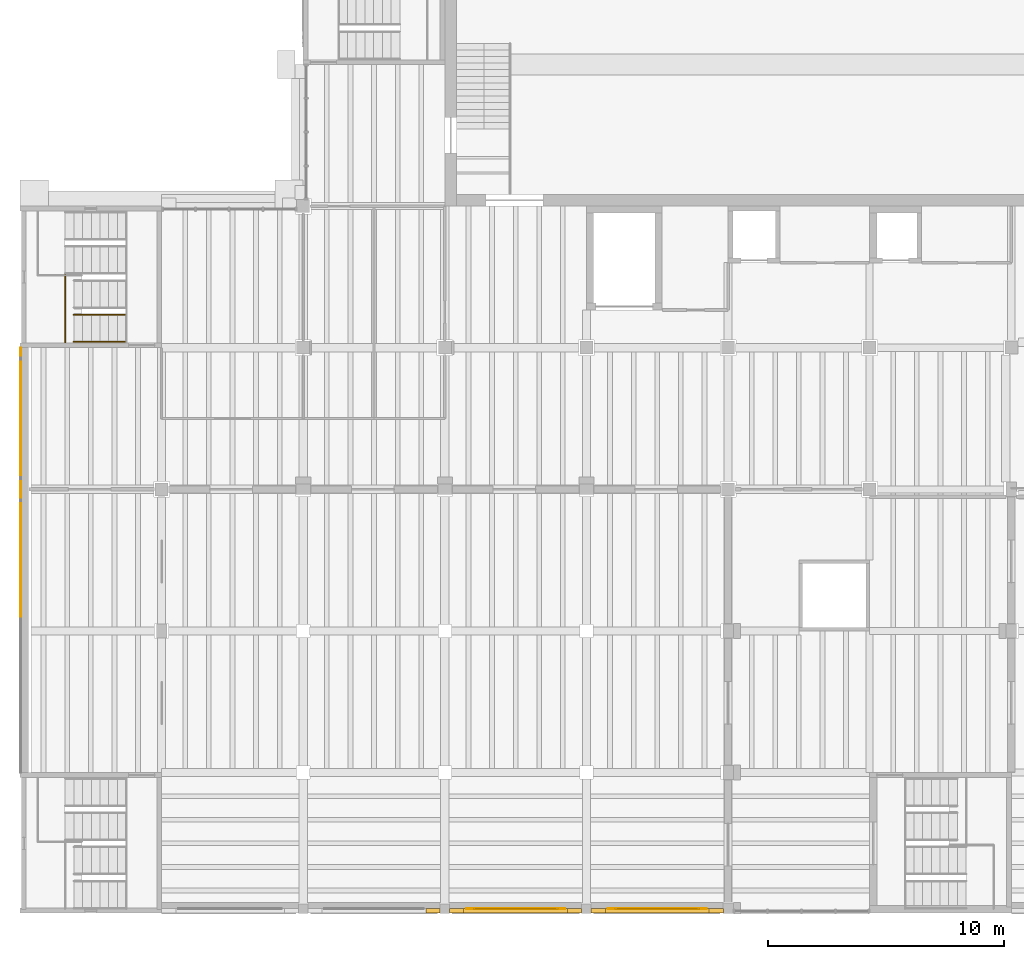
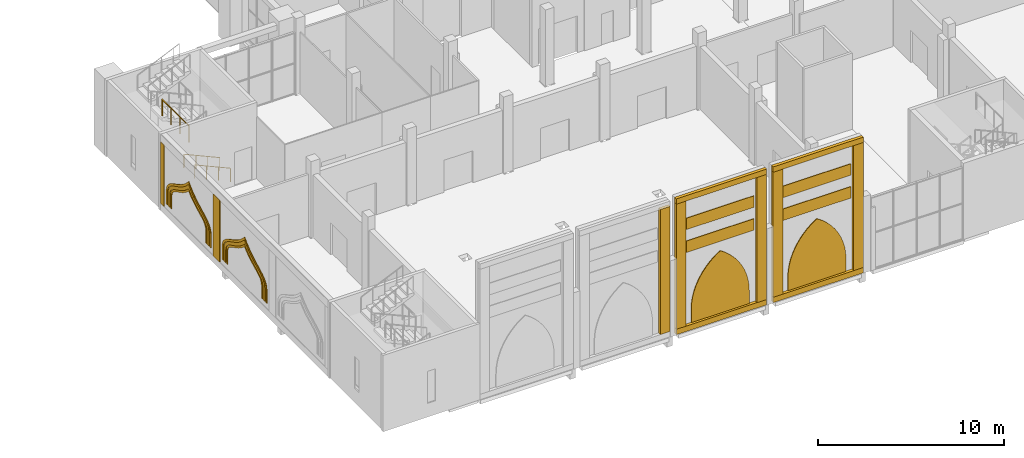
# One storey, part 59 of 80: 23 coverings, 3 railings.
"""IFC4 building model written with IfcOpenShell, lengths in metres."""

from ifc_helpers import new_model, si_unit, direction, frame, origin, origin_2d, place, context, subcontext, project, spatial, polyline, rectangle, circle, outline, extrude, material, layer, layer_set, type_object, element, save


model = new_model("IFC4")

# Units and contexts
model_context = context("Model", 3, precision=1e-05, world=origin(), true_north=direction((0.0, 1.0)))
body_context = subcontext(model_context, "Body", "Model", "MODEL_VIEW")
ifc_project = project(units=[si_unit("LENGTHUNIT", "METRE"), si_unit("AREAUNIT", "SQUARE_METRE"), si_unit("VOLUMEUNIT", "CUBIC_METRE"), si_unit("PLANEANGLEUNIT", "RADIAN"), si_unit("MASSUNIT", "GRAM", prefix="KILO")], contexts=[model_context])

# Site, building, storey
site_placement = place(None, origin())
site = spatial("IfcSite", under=ifc_project, at=site_placement, CompositionType="ELEMENT")
building_placement = place(site_placement, origin())
building = spatial("IfcBuilding", under=site, at=building_placement, Name="Saffron Lane Theatres", CompositionType="ELEMENT")
storey_placement = place(building_placement, frame((0.0, 0.0, 7.0)))
storey = spatial("IfcBuildingStorey", under=building, at=storey_placement, Name="L01", CompositionType="ELEMENT", Elevation=7.0)

# Coverings
ifc_material_1 = material(Name="Masonry pale clay brick", Category="masonry")
ifc_layer_1 = layer(ifc_material_1, 0.050048828125)
ifc_layer_set_1 = layer_set([ifc_layer_1], Name="Masonry pale clay brick")
covering_type_1 = type_object("IfcCoveringType", Name="EX-ARCH PANEL BRICK 50", PredefinedType="CLADDING", material=ifc_layer_set_1)
covering_1_placement = place(storey_placement, frame((28.800048828125, 0.25, 1.199951171875), z_axis=(0.0, 1.0, 0.0), x_axis=(0.0, 0.0, -1.0)))
element("IfcCovering", 1, at=covering_1_placement, inside=storey, type_object=covering_type_1, Name="Blind arch panel 7", PredefinedType="CLADDING", context=body_context, shape_type="SweptSolid", body=[
    extrude(outline(polyline([(0.0, 0.0), (0.89990234375, 0.0), (0.89990234375, 3.60009765625), (0.0, 3.60009765625), (-0.385986328125, 3.5810546875), (-0.76904296875, 3.52197265625), (-1.14306640625, 3.425048828125), (-1.506103515625, 3.291015625), (-1.85302734375, 3.1201171875), (-2.18115234375, 2.9150390625), (-2.487060546875, 2.677978515625), (-2.76708984375, 2.412109375), (-3.01904296875, 2.1181640625), (-3.239990234375, 1.800048828125), (-3.01904296875, 1.483154296875), (-2.76708984375, 1.18896484375), (-2.487060546875, 0.922119140625), (-2.18115234375, 0.68505859375), (-1.85302734375, 0.47998046875), (-1.506103515625, 0.31005859375), (-1.14306640625, 0.176025390625), (-0.76904296875, 0.078125), (-0.385986328125, 0.02001953125), (0.0, 0.0)])), origin(), (0.0, 0.0, -1.0), 0.050048828125),
])
covering_2_placement = place(storey_placement, frame((22.800048828125, 0.25, 1.199951171875), z_axis=(0.0, 1.0, 0.0), x_axis=(0.0, 0.0, -1.0)))
element("IfcCovering", 2, at=covering_2_placement, inside=storey, type_object=covering_type_1, Name="Blind arch panel 8", PredefinedType="CLADDING", context=body_context, shape_type="SweptSolid", body=[
    extrude(outline(polyline([(0.0, 0.0), (0.89990234375, 0.0), (0.89990234375, 3.60009765625), (0.0, 3.60009765625), (-0.385986328125, 3.580078125), (-0.76904296875, 3.52197265625), (-1.14306640625, 3.425048828125), (-1.506103515625, 3.2900390625), (-1.85302734375, 3.1201171875), (-2.18115234375, 2.9150390625), (-2.487060546875, 2.677978515625), (-2.76708984375, 2.4111328125), (-3.01904296875, 2.1181640625), (-3.239990234375, 1.800048828125), (-3.01904296875, 1.48193359375), (-2.76708984375, 1.18896484375), (-2.487060546875, 0.922119140625), (-2.18115234375, 0.68505859375), (-1.85302734375, 0.47998046875), (-1.506103515625, 0.31005859375), (-1.14306640625, 0.175048828125), (-0.76904296875, 0.078125), (-0.385986328125, 0.02001953125), (0.0, 0.0)])), origin(), (0.0, 0.0, -1.0), 0.050048828125),
])
ifc_material_2 = material(Name="Masonry sandstone", Category="masonry")
ifc_layer_2 = layer(ifc_material_2, 0.0400390625)
ifc_layer_set_2 = layer_set([ifc_layer_2], Name="Masonry sandstone")
covering_type_2 = type_object("IfcCoveringType", Name="EX-BANDING COURSE SANDSTONE 40", PredefinedType="CLADDING", material=ifc_layer_set_2)
for number, where, z_axis, x_axis, name in (
    (3, (27.0, 0.22998046875, 5.050048828125), (0.0, 0.0, 1.0), (-1.0, 0.0, 0.0), "Banding course L01"),
    (4, (27.0, 0.22998046875, 6.550048828125), (0.0, 0.0, 1.0), (-1.0, 0.0, 0.0), "Banding course L01"),
    (5, (21.0, 0.22998046875, 5.050048828125), (0.0, 0.0, 1.0), (-1.0, 0.0, 0.0), "Banding course L01"),
    (6, (21.0, 0.22998046875, 6.550048828125), (0.0, 0.0, 1.0), (-1.0, 0.0, 0.0), "Banding course L01"),
):
    element("IfcCovering", number, at=place(storey_placement, frame(where, z_axis=z_axis, x_axis=x_axis)), inside=storey, type_object=covering_type_2, Name=name, PredefinedType="CLADDING", context=body_context, shape_type="SweptSolid", body=[
        extrude(rectangle(XDim=4.199951171875, YDim=0.0400390625, at=origin_2d()), origin(), (0.0, 0.0, 1.0), 0.75),
    ])
ifc_material_3 = material(Name="Face brick cladding, pale buff", Category="masonry")
ifc_layer_3 = layer(ifc_material_3, 0.0400390625)
ifc_layer_set_3 = layer_set([ifc_layer_3], Name="Face brick cladding, pale buff")
covering_type_3 = type_object("IfcCoveringType", Name="EX-FACE BRICK SKIN PALE BUFF 40", PredefinedType="CLADDING", material=ifc_layer_set_3)
covering_3_placement = place(storey_placement, frame((0.0400390625, 18.0, 0.4501953125), z_axis=(0.0, 0.0, 1.0), x_axis=(0.0, 1.0, 0.0)))
element("IfcCovering", 7, at=covering_3_placement, inside=storey, type_object=covering_type_3, Name="Face brick cladding, pale buff L01", PredefinedType="CLADDING", context=body_context, shape_type="SweptSolid", body=[
    extrude(rectangle(XDim=0.699951171875, YDim=0.0400390625, at=origin_2d()), origin(), (0.0, 0.0, 1.0), 4.050048828125),
])
covering_4_placement = place(storey_placement, frame((0.0400390625, 23.824951171875, 0.4501953125), z_axis=(0.0, 0.0, 1.0), x_axis=(0.0, 1.0, 0.0)))
element("IfcCovering", 8, at=covering_4_placement, inside=storey, type_object=covering_type_3, Name="Face brick cladding, pale buff L01", PredefinedType="CLADDING", context=body_context, shape_type="SweptSolid", body=[
    extrude(rectangle(XDim=0.35009765625, YDim=0.0400390625, at=origin_2d()), origin(), (0.0, 0.0, 1.0), 4.050048828125),
])
ifc_material_4 = material(Name="Face brick cladding, pale buff", Category="masonry")
ifc_layer_4 = layer(ifc_material_4, 0.0400390625)
ifc_layer_set_4 = layer_set([ifc_layer_4], Name="Face brick cladding, pale buff")
covering_type_4 = type_object("IfcCoveringType", Name="EX-NICHE FRAME RING FACE BRICK PALE BUFF", PredefinedType="CLADDING", material=ifc_layer_set_4)
covering_5_placement = place(storey_placement, frame((0.06005859375, 13.072998046875, 1.781982421875), z_axis=(1.0, 0.0, 0.0), x_axis=(0.0, -0.099876874266, -0.994999804013)))
element("IfcCovering", 9, at=covering_5_placement, inside=storey, type_object=covering_type_4, Name="Court wall niche ring", PredefinedType="CLADDING", context=body_context, shape_type="SweptSolid", body=[
    extrude(outline(polyline([(0.0, 0.0), (0.12955404561894843, 0.0), (0.9783160854682909, 0.08519770475760445), (0.9663435402376144, 0.20447136290472154), (0.12365449723893977, 0.11988325820977883), (0.013000353940100167, 0.11981746741056327), (-0.08157967087626716, 0.14050384297091023), (-0.16785901317901708, 0.18116209681061266), (-0.24935955106601798, 0.24021186952193996), (-0.327222731899884, 0.3168024814702797), (-0.40518988980104176, 0.4115398521141416), (-0.48245819298885373, 0.5213147910961914), (-0.5622578316821486, 0.6440854832631513), (-0.645802485100022, 0.7772764258597157), (-0.735617967841729, 0.9191618756141529), (-0.8336467187484453, 1.0670931777636374), (-0.9413941049183062, 1.2189562852984104), (-1.0634024519502998, 1.373559142548769), (-1.198626008189762, 1.527816943159885), (-1.3524568587192551, 1.6792254960818962), (-1.4789665846290467, 1.7882288884185995), (-1.376645789205673, 1.9202020111163973), (-1.255977182084978, 2.099164486870719), (-1.1541109412743662, 2.277221073928149), (-1.0652648376511713, 2.4529892453541233), (-0.9898506388048889, 2.6232378907787743), (-0.9231797151214924, 2.787701546627645), (-0.8633565554627429, 2.9446075419260676), (-0.8079510409373354, 3.0917461339563324), (-0.754144748915937, 3.2279280275018505), (-0.7002363201293227, 3.3508703278373937), (-0.6425322683110412, 3.4579993725097324), (-0.5815672012141585, 3.549752233261906), (-0.5134290967007029, 3.6238225515172187), (-0.4369521234055537, 3.680818087036256), (-0.34837056320577786, 3.7198900004864806), (-0.23991098013252055, 3.7418185799481005), (0.6027780628661541, 3.826406684643043), (0.5908055176354775, 3.9456803427901606), (-0.25795652221386495, 3.860482638032556), (-0.3849258635671276, 3.834733131385724), (-0.49748057883491487, 3.7851576938369575), (-0.5938967650475713, 3.7141376762725486), (-0.6754630937337878, 3.624733501044819), (-0.7454359794169754, 3.520053438360064), (-0.8080679001191587, 3.4033511422885825), (-0.8642817673314318, 3.274043237072293), (-0.9197388103149663, 3.1347512330184024), (-0.9753872447144006, 2.987588256985631), (-1.0350650205091494, 2.8316783251858224), (-1.100352497106943, 2.6705433157168437), (-1.1739461771245818, 2.5041579244251517), (-1.2594176268159851, 2.3338812143938426), (-1.3587355093269116, 2.1622146162196643), (-1.4731875760350135, 1.9897649695121646), (-1.644152098967213, 1.7716477667142003), (-1.4332465799294165, 1.5918622158564055), (-1.2868027019328265, 1.4456009878408547), (-1.1553467041183734, 1.2970991920478225), (-1.0377371391234431, 1.1472075081119215), (-0.9325417918574198, 0.9987687426649908), (-0.8365304721014746, 0.8538247108603083), (-0.7470554452438202, 0.7128865565994715), (-0.66326787195192, 0.5797199980054136), (-0.5812322662363337, 0.45422933937018484), (-0.5004393244975395, 0.33867401156754484), (-0.41586180153953356, 0.23674842101498333), (-0.32647924986119614, 0.14806426397447273), (-0.2287707115156969, 0.07665548259651729), (-0.12016252404980576, 0.026215563147568656), (0.0, 0.0)])), origin(), (0.0, 0.0, -1.0), 0.0400390625),
])
covering_6_placement = place(storey_placement, frame((0.06005859375, 12.81494140625, 1.806884765625), z_axis=(1.0, 0.0, 0.0), x_axis=(0.0, -0.097602498656, -0.995225478098)))
element("IfcCovering", 10, at=covering_6_placement, inside=storey, type_object=covering_type_4, Name="Court wall niche ring", PredefinedType="CLADDING", context=body_context, shape_type="SweptSolid", body=[
    extrude(outline(polyline([(0.0, 0.0), (0.15258398432499873, -1.734723475976807e-18), (1.0034823301014801, 0.08344823005203435), (0.983966596117295, 0.2824447306776592), (0.14303022412060684, 0.19997347876158528), (0.021347030865985345, 0.20006019973167055), (-0.08105598130968264, 0.2211720683274247), (-0.17384546612589996, 0.26432356364484505), (-0.2621762430477341, 0.32704665375150543), (-0.34881635168790626, 0.41005112244310354), (-0.4352951280729198, 0.5139229222202154), (-0.5224938447636411, 0.63514125982438), (-0.6123609891419856, 0.7710619269379977), (-0.7071356810301546, 0.9195028364489235), (-0.8093000152205879, 1.0782580725099888), (-0.9219696964763485, 1.2440783331879997), (-1.0452685560925583, 1.4157249148967381), (-1.1849135372998374, 1.5889574747070354), (-1.3405425214528295, 1.7625849665027211), (-1.5170673530463632, 1.9341631870863922), (-1.6375864539998406, 2.0349419389304635), (-1.5389421317978675, 2.157214209765664), (-1.3991135521404081, 2.3598174433498347), (-1.2801808199234905, 2.5603714057219906), (-1.1768508308919112, 2.7574327005557127), (-1.089247416340792, 2.949762624264784), (-1.0109387709888102, 3.1343122706712068), (-0.9415627761906096, 3.3098905936588108), (-0.8774318375425653, 3.473915495875056), (-0.8156826004918623, 3.624705293643291), (-0.7536946854559246, 3.7605544745518387), (-0.6890430303523685, 3.8792477475135207), (-0.6201791580396714, 3.977502606620111), (-0.5457167049014705, 4.056190949192466), (-0.4630782612052322, 4.116546791196799), (-0.36672774772551414, 4.157150565041715), (-0.24737977050318832, 4.180875391155038), (0.5935566014934999, 4.263346643071112), (0.5740408675093147, 4.462343143696737), (-0.27685747826716656, 4.378894913644702), (-0.42653435691930747, 4.349251967275562), (-0.5615936738570785, 4.290623903877926), (-0.678114625581625, 4.2080561651167585), (-0.7753635995622263, 4.104073815634537), (-0.8590387885494839, 3.9842508262517446), (-0.9322703508014747, 3.8504880268802486), (-0.9994748056325404, 3.705296028667516), (-1.0625721240695687, 3.5482412267631225), (-1.1278226226287136, 3.383125280990804), (-1.1961743724559073, 3.2096099014402286), (-1.2720677216005147, 3.030448674229103), (-1.3571796661191846, 2.8452318232420244), (-1.4545880191799425, 2.657827806887796), (-1.5674514553958936, 2.4679268516111126), (-1.6993622542305695, 2.277139154883557), (-1.9162787448638108, 2.007610379858595), (-1.6511328945431574, 1.7853578151201082), (-1.4846704299245153, 1.623831805001319), (-1.3370646980444105, 1.459475253669747), (-1.2051046791996864, 1.2945655631776316), (-1.0856316987772376, 1.1294125070802767), (-0.9763781205998351, 0.9684087759570008), (-0.8756192911407834, 0.8114781959827292), (-0.7795344094613266, 0.6621845302659649), (-0.6871277469454855, 0.5203801187765632), (-0.5929968215379495, 0.3910104006193854), (-0.49517400474178414, 0.27402303070438017), (-0.3898146668832099, 0.17273879716981205), (-0.27421756693457144, 0.0896304195681118), (-0.14387594889643823, 0.031272675590742816), (0.0, 0.0)])), origin(), (0.0, 0.0, -1.0), 0.0400390625),
])
covering_7_placement = place(storey_placement, frame((0.06005859375, 12.615966796875, 1.819091796875), z_axis=(1.0, 0.0, 0.0), x_axis=(0.0, -0.095154505176, -0.99546251569)))
element("IfcCovering", 11, at=covering_7_placement, inside=storey, type_object=covering_type_4, Name="Court wall niche ring", PredefinedType="CLADDING", context=body_context, shape_type="SweptSolid", body=[
    extrude(outline(polyline([(0.0, 0.0), (0.16677235193015855, 0.0), (1.0159290974922315, 0.08116939479637461), (1.0026176884429119, 0.22042721254310266), (0.1595367638994571, 0.13983859475586066), (0.014823216279246345, 0.13998512926278026), (-0.10934512126712533, 0.1663756365577664), (-0.22257340696762043, 0.21686570922248327), (-0.3289931991148993, 0.2910604188907206), (-0.42963381326976313, 0.3868993474346942), (-0.5294488305685677, 0.5048900046100768), (-0.6297677836106811, 0.6409812474023956), (-0.7316199879569047, 0.7931126576838663), (-0.8378396354118056, 0.9575797716393138), (-0.9529978877888029, 1.133455133060308), (-1.0782509380876162, 1.3174399285349754), (-1.2176713733969013, 1.505956571687059), (-1.3725547731985697, 1.6971644461491544), (-1.5465805832212491, 1.8885045590687133), (-1.7433585559524716, 2.076688819070955), (-1.9091248234021942, 2.2124101515836108), (-1.7720721712839882, 2.3770774102314363), (-1.6145082622094, 2.5991325854062923), (-1.4798823644862775, 2.819976170389789), (-1.364027179698321, 3.0370634683788333), (-1.2628451026703273, 3.248578881092569), (-1.174715318795271, 3.4529605651279733), (-1.094961232894998, 3.6474672530019423), (-1.021822643880291, 3.8290789042669844), (-0.9506354656162697, 3.997750843768552), (-0.8779150360481381, 4.150382615780968), (-0.8022603423292505, 4.285146112980101), (-0.7216913816100099, 4.39928755883957), (-0.6311616484325995, 4.491327312240725), (-0.5295489029147566, 4.562353659948372), (-0.4126286624423601, 4.6117893989657395), (-0.27056345798379405, 4.639348608303719), (0.5725174665596607, 4.719937226090961), (0.5592060575103411, 4.859195043837689), (-0.2899506880517318, 4.778025649041314), (-0.45370299953440074, 4.7464313797445), (-0.5984415652411588, 4.685262158136471), (-0.7227903904119071, 4.59808306155021), (-0.8288224022177035, 4.488619997875076), (-0.9210176251566882, 4.36012353135603), (-1.0025247641214508, 4.2147452174361355), (-1.0777309192886697, 4.054763488997374), (-1.1506068183946305, 3.8832323396046915), (-1.2255735147334688, 3.700219675493003), (-1.3034762622292453, 3.506870967624936), (-1.390785810266788, 3.306736997284018), (-1.488787016290917, 3.100430707590657), (-1.6010914197953456, 2.889814158986441), (-1.7325024933971465, 2.6763902236703863), (-1.8837850757421926, 2.4630288335707), (-2.1062244572461672, 2.193569745407349), (-1.8367653690828158, 1.9711303639033746), (-1.6478019743852454, 1.790292486315115), (-1.4783383911450756, 1.6056286284913077), (-1.3281673266452003, 1.4201016466816205), (-1.1928570055543921, 1.236097194138952), (-1.0692140478255128, 1.0561278015551183), (-0.9561859068173956, 0.8820108542171596), (-0.8478129169132491, 0.715542293337932), (-0.7437609079570494, 0.5609233704511917), (-0.6396088266546607, 0.41808617932202474), (-0.5320364155200262, 0.29078164592633693), (-0.41716765814450424, 0.18207805987853043), (-0.292318471242811, 0.09468452255043612), (-0.1536128384063044, 0.031669323556456144), (0.0, 0.0)])), origin(), (0.0, 0.0, -1.0), 0.0400390625),
])
covering_8_placement = place(storey_placement, frame((0.06005859375, 19.072998046875, 1.781982421875), z_axis=(1.0, 0.0, 0.0), x_axis=(0.0, -0.099876874266, -0.994999804013)))
element("IfcCovering", 12, at=covering_8_placement, inside=storey, type_object=covering_type_4, Name="Court wall niche ring", PredefinedType="CLADDING", context=body_context, shape_type="SweptSolid", body=[
    extrude(outline(polyline([(0.0, 0.0), (0.12955404561894843, 0.0), (0.9783160854682909, 0.08519770475760445), (0.9663435402376144, 0.20447136290472154), (0.12365449723893977, 0.11988325820977883), (0.013000353940100167, 0.11981746741056327), (-0.08157967087626716, 0.14050384297091023), (-0.16785901317901708, 0.18116209681061266), (-0.24935955106601798, 0.24021186952193996), (-0.327222731899884, 0.3168024814702797), (-0.40518988980104176, 0.4115398521141416), (-0.48245819298885373, 0.5213147910961914), (-0.5622578316821486, 0.6440854832631513), (-0.645802485100022, 0.7772764258597157), (-0.735617967841729, 0.9191618756141529), (-0.8336467187484453, 1.0670931777636374), (-0.9413941049183062, 1.2189562852984104), (-1.0634024519502998, 1.373559142548769), (-1.198626008189762, 1.527816943159885), (-1.3524568587192551, 1.6792254960818962), (-1.4789665846290467, 1.7882288884185995), (-1.376645789205673, 1.9202020111163973), (-1.255977182084978, 2.099164486870719), (-1.1541109412743662, 2.277221073928149), (-1.0652648376511713, 2.4529892453541233), (-0.9898506388048889, 2.6232378907787743), (-0.9231797151214924, 2.787701546627645), (-0.8633565554627429, 2.9446075419260676), (-0.8079510409373354, 3.0917461339563324), (-0.754144748915937, 3.2279280275018505), (-0.7002363201293227, 3.3508703278373937), (-0.6425322683110412, 3.4579993725097324), (-0.5815672012141585, 3.549752233261906), (-0.5134290967007029, 3.6238225515172187), (-0.4369521234055537, 3.680818087036256), (-0.34837056320577786, 3.7198900004864806), (-0.23991098013252055, 3.7418185799481005), (0.6027780628661541, 3.826406684643043), (0.5908055176354775, 3.9456803427901606), (-0.25795652221386495, 3.860482638032556), (-0.3849258635671276, 3.834733131385724), (-0.49748057883491487, 3.7851576938369575), (-0.5938967650475713, 3.7141376762725486), (-0.6754630937337878, 3.624733501044819), (-0.7454359794169754, 3.520053438360064), (-0.8080679001191587, 3.4033511422885825), (-0.8642817673314318, 3.274043237072293), (-0.9197388103149663, 3.1347512330184024), (-0.9753872447144006, 2.987588256985631), (-1.0350650205091494, 2.8316783251858224), (-1.100352497106943, 2.6705433157168437), (-1.1739461771245818, 2.5041579244251517), (-1.2594176268159851, 2.3338812143938426), (-1.3587355093269116, 2.1622146162196643), (-1.4731875760350135, 1.9897649695121646), (-1.644152098967213, 1.7716477667142003), (-1.4332465799294165, 1.5918622158564055), (-1.2868027019328265, 1.4456009878408547), (-1.1553467041183734, 1.2970991920478225), (-1.0377371391234431, 1.1472075081119215), (-0.9325417918574198, 0.9987687426649908), (-0.8365304721014746, 0.8538247108603083), (-0.7470554452438202, 0.7128865565994715), (-0.66326787195192, 0.5797199980054136), (-0.5812322662363337, 0.45422933937018484), (-0.5004393244975395, 0.33867401156754484), (-0.41586180153953356, 0.23674842101498333), (-0.32647924986119614, 0.14806426397447273), (-0.2287707115156969, 0.07665548259651729), (-0.12016252404980576, 0.026215563147568656), (0.0, 0.0)])), origin(), (0.0, 0.0, -1.0), 0.0400390625),
])
covering_9_placement = place(storey_placement, frame((0.06005859375, 18.81494140625, 1.806884765625), z_axis=(1.0, 0.0, 0.0), x_axis=(0.0, -0.097602498656, -0.995225478098)))
element("IfcCovering", 13, at=covering_9_placement, inside=storey, type_object=covering_type_4, Name="Court wall niche ring", PredefinedType="CLADDING", context=body_context, shape_type="SweptSolid", body=[
    extrude(outline(polyline([(0.0, 0.0), (0.15258398432499873, -1.734723475976807e-18), (1.0034823301014801, 0.08344823005203435), (0.983966596117295, 0.2824447306776592), (0.14303022412060684, 0.19997347876158528), (0.021347030865985345, 0.20006019973167055), (-0.08105598130968264, 0.2211720683274247), (-0.17384546612589996, 0.26432356364484505), (-0.2621762430477341, 0.32704665375150543), (-0.34881635168790626, 0.41005112244310354), (-0.4352951280729198, 0.5139229222202154), (-0.5223985298235474, 0.6341693599434245), (-0.6123609891419856, 0.7710619269379977), (-0.7071356810301546, 0.9195028364489235), (-0.8093000152205879, 1.0782580725099888), (-0.9219696964763485, 1.2440783331879997), (-1.0452685560925583, 1.4157249148967381), (-1.1849135372998374, 1.5889574747070354), (-1.3405425214528295, 1.7625849665027211), (-1.5170673530463632, 1.9341631870863922), (-1.6375864539998406, 2.0349419389304635), (-1.5389421317978675, 2.157214209765664), (-1.3990182372003144, 2.358845543468879), (-1.2801808199234905, 2.5603714057219906), (-1.1768508308919112, 2.7574327005557127), (-1.089247416340792, 2.949762624264784), (-1.0109387709888102, 3.1343122706712068), (-0.9415627761906096, 3.3098905936588108), (-0.8774318375425653, 3.473915495875056), (-0.8156826004918623, 3.624705293643291), (-0.7536946854559246, 3.7605544745518387), (-0.6890430303523685, 3.8792477475135207), (-0.6201791580396714, 3.977502606620111), (-0.5457167049014705, 4.056190949192466), (-0.4630782612052322, 4.116546791196799), (-0.36672774772551414, 4.157150565041715), (-0.24737977050318832, 4.180875391155038), (0.5935566014934999, 4.263346643071112), (0.5740408675093147, 4.462343143696737), (-0.27685747826716656, 4.378894913644702), (-0.42653435691930747, 4.349251967275562), (-0.5615936738570785, 4.290623903877926), (-0.678114625581625, 4.2080561651167585), (-0.7753635995622263, 4.104073815634537), (-0.8590387885494839, 3.9842508262517446), (-0.9322703508014747, 3.8504880268802486), (-0.9994748056325404, 3.705296028667516), (-1.0625721240695687, 3.5482412267631225), (-1.1278226226287136, 3.383125280990804), (-1.1961743724559073, 3.2096099014402286), (-1.2720677216005147, 3.030448674229103), (-1.3571796661191846, 2.8452318232420244), (-1.4545880191799425, 2.657827806887796), (-1.5674514553958936, 2.4679268516111126), (-1.6993622542305695, 2.277139154883557), (-1.9162787448638108, 2.007610379858595), (-1.6511328945431574, 1.7853578151201082), (-1.4846704299245153, 1.623831805001319), (-1.3370646980444105, 1.459475253669747), (-1.2051046791996864, 1.2945655631776316), (-1.0856316987772376, 1.1294125070802767), (-0.9763781205998351, 0.9684087759570008), (-0.8756192911407834, 0.8114781959827292), (-0.7794390945212328, 0.6612126303850095), (-0.6871277469454855, 0.5203801187765632), (-0.5929968215379495, 0.3910104006193854), (-0.49517400474178414, 0.27402303070438017), (-0.3898146668832099, 0.17273879716981205), (-0.27421756693457144, 0.0896304195681118), (-0.14387594889643823, 0.031272675590742816), (0.0, 0.0)])), origin(), (0.0, 0.0, -1.0), 0.0400390625),
])
covering_10_placement = place(storey_placement, frame((0.06005859375, 18.615966796875, 1.819091796875), z_axis=(1.0, 0.0, 0.0), x_axis=(0.0, -0.095154505176, -0.99546251569)))
element("IfcCovering", 14, at=covering_10_placement, inside=storey, type_object=covering_type_4, Name="Court wall niche ring", PredefinedType="CLADDING", context=body_context, shape_type="SweptSolid", body=[
    extrude(outline(polyline([(0.0, 0.0), (0.16677235193015855, 0.0), (1.0159290974922315, 0.08116939479637461), (1.0026176884429119, 0.22042721254310266), (0.1595367638994571, 0.13983859475586066), (0.014823216279246345, 0.13998512926278026), (-0.10934512126712533, 0.1663756365577664), (-0.22257340696762043, 0.21686570922248327), (-0.3289002747934381, 0.2900882875277417), (-0.42963381326976313, 0.3868993474346942), (-0.5294488305685677, 0.5048900046100768), (-0.6297677836106811, 0.6409812474023956), (-0.7316199879569047, 0.7931126576838663), (-0.8378396354118056, 0.9575797716393138), (-0.9529978877888029, 1.133455133060308), (-1.0782509380876162, 1.3174399285349754), (-1.2176713733969013, 1.505956571687059), (-1.3725547731985697, 1.6971644461491544), (-1.5465805832212491, 1.8885045590687133), (-1.7433585559524716, 2.076688819070955), (-1.9091248234021942, 2.2124101515836108), (-1.7720721712839882, 2.3770774102314363), (-1.6145082622094, 2.5991325854062923), (-1.4798823644862775, 2.819976170389789), (-1.364027179698321, 3.0370634683788333), (-1.2628451026703273, 3.248578881092569), (-1.174715318795271, 3.4529605651279733), (-1.094961232894998, 3.6474672530019423), (-1.021822643880291, 3.8290789042669844), (-0.9506354656162697, 3.997750843768552), (-0.8779150360481381, 4.150382615780968), (-0.8022603423292505, 4.285146112980101), (-0.7216913816100099, 4.39928755883957), (-0.6311616484325995, 4.491327312240725), (-0.5295489029147566, 4.562353659948372), (-0.4126286624423601, 4.6117893989657395), (-0.27056345798379405, 4.639348608303719), (0.5725174665596607, 4.719937226090961), (0.5592060575103411, 4.859195043837689), (-0.2899506880517318, 4.778025649041314), (-0.45370299953440074, 4.7464313797445), (-0.5984415652411588, 4.685262158136471), (-0.7227903904119071, 4.59808306155021), (-0.8288224022177035, 4.488619997875076), (-0.9210176251566882, 4.36012353135603), (-1.0025247641214508, 4.2147452174361355), (-1.0777309192886697, 4.054763488997374), (-1.1506068183946305, 3.8832323396046915), (-1.2255735147334688, 3.700219675493003), (-1.3034762622292453, 3.506870967624936), (-1.390785810266788, 3.306736997284018), (-1.488787016290917, 3.100430707590657), (-1.6010914197953456, 2.889814158986441), (-1.7325024933971465, 2.6763902236703863), (-1.8837850757421926, 2.4630288335707), (-2.1062244572461672, 2.193569745407349), (-1.8367653690828158, 1.9711303639033746), (-1.6478019743852454, 1.790292486315115), (-1.4783383911450756, 1.6056286284913077), (-1.3281673266452003, 1.4201016466816205), (-1.1928570055543921, 1.236097194138952), (-1.0692140478255128, 1.0561278015551183), (-0.9560929824959343, 0.8810387228541807), (-0.8478129169132491, 0.715542293337932), (-0.7436447525552229, 0.5597082062474681), (-0.6396088266546607, 0.41808617932202474), (-0.5320364155200262, 0.29078164592633693), (-0.41716765814450424, 0.18207805987853043), (-0.292318471242811, 0.09468452255043612), (-0.15370576272776562, 0.03264145491943505), (0.0, 0.0)])), origin(), (0.0, 0.0, -1.0), 0.0400390625),
])
ifc_material_5 = material(Name="Masonry sandstone", Category="masonry")
ifc_layer_5 = layer(ifc_material_5, 0.14990234375)
ifc_layer_set_5 = layer_set([ifc_layer_5], Name="Masonry sandstone")
covering_type_5 = type_object("IfcCoveringType", Name="EX-PILASTER STRIP SANDSTONE 600", PredefinedType="CLADDING", material=ifc_layer_set_5)
for number, where, z_axis, x_axis, name in (
    (15, (29.4990234375, 0.155029296875, 0.35009765625), (0.0, 0.0, 1.0), (-1.0, 0.0, 0.0), "Pilaster strip L01"),
    (16, (24.5, 0.155029296875, 0.35009765625), (0.0, 0.0, 1.0), (-1.0, 0.0, 0.0), "Pilaster strip L01"),
    (17, (23.5, 0.155029296875, 0.35009765625), (0.0, 0.0, 1.0), (-1.0, 0.0, 0.0), "Pilaster strip L01"),
    (18, (18.5, 0.155029296875, 0.35009765625), (0.0, 0.0, 1.0), (-1.0, 0.0, 0.0), "Pilaster strip L01"),
    (19, (17.5, 0.155029296875, 0.35009765625), (0.0, 0.0, 1.0), (-1.0, 0.0, 0.0), "Pilaster strip L01"),
):
    element("IfcCovering", number, at=place(storey_placement, frame(where, z_axis=z_axis, x_axis=x_axis)), inside=storey, type_object=covering_type_5, Name=name, PredefinedType="CLADDING", context=body_context, shape_type="SweptSolid", body=[
        extrude(rectangle(XDim=0.60009765625, YDim=0.18994140625, at=origin_2d()), origin(), (0.0, 0.0, 1.0), 8.199951171875),
    ])
ifc_material_6 = material(Name="Masonry sandstone", Category="masonry")
ifc_layer_6 = layer(ifc_material_6, 0.14990234375)
ifc_layer_set_6 = layer_set([ifc_layer_6], Name="Masonry sandstone")
covering_type_6 = type_object("IfcCoveringType", Name="EX-STRING COURSE AND CORNICE SANDSTONE 350", PredefinedType="CLADDING", material=ifc_layer_set_6)
for number, where, z_axis, x_axis, name in (
    (20, (27.0, 0.155029296875, 0.0), (0.0, 0.0, 1.0), (-1.0, 0.0, 0.0), "String course L01"),
    (21, (27.0, 0.155029296875, 8.550048828125), (0.0, 0.0, 1.0), (-1.0, 0.0, 0.0), "Cornice L01"),
):
    element("IfcCovering", number, at=place(storey_placement, frame(where, z_axis=z_axis, x_axis=x_axis)), inside=storey, type_object=covering_type_6, Name=name, PredefinedType="CLADDING", context=body_context, shape_type="SweptSolid", body=[
        extrude(rectangle(XDim=5.59912109375, YDim=0.18994140625, at=origin_2d()), origin(), (0.0, 0.0, 1.0), 0.35009765625),
    ])
for number, where, z_axis, x_axis, name in (
    (22, (21.0, 0.155029296875, 0.0), (0.0, 0.0, 1.0), (-1.0, 0.0, 0.0), "String course L01"),
    (23, (21.0, 0.155029296875, 8.550048828125), (0.0, 0.0, 1.0), (-1.0, 0.0, 0.0), "Cornice L01"),
):
    element("IfcCovering", number, at=place(storey_placement, frame(where, z_axis=z_axis, x_axis=x_axis)), inside=storey, type_object=covering_type_6, Name=name, PredefinedType="CLADDING", context=body_context, shape_type="SweptSolid", body=[
        extrude(rectangle(XDim=5.60009765625, YDim=0.18994140625, at=origin_2d()), origin(), (0.0, 0.0, 1.0), 0.35009765625),
    ])

# Railings
ifc_material_7 = material(Name="Steel Grade 350", Category="steel")
railing_type_1 = type_object("IfcRailingType", Name="VC-GUARD 1100", PredefinedType="GUARDRAIL", material=ifc_material_7)
railing_placement = place(storey_placement, frame((1.909912109375, 24.22998046875, 3.666748046875)))
element("IfcRailing", 24, at=railing_placement, inside=storey, type_object=railing_type_1, Name="Workshop North Stair landing guard 2N2s", PredefinedType="GUARDRAIL", context=body_context, shape_type="SweptSolid", body=[
    extrude(circle(Radius=0.02392578125, at=origin_2d()), frame((0.0, 0.0, 1.076171875), z_axis=(0.0, 1.0, 0.0), x_axis=(-1.0, 0.0, 0.0)), (0.0, 0.0, 1.0), 2.8701171875),
    extrude(circle(Radius=0.02099609375, at=origin_2d()), origin(), (0.0, 0.0, 1.0), 1.052001953125),
    extrude(circle(Radius=0.02099609375, at=origin_2d()), frame((0.0, 0.956787109375, 0.0)), (0.0, 0.0, 1.0), 1.052001953125),
    extrude(circle(Radius=0.02099609375, at=origin_2d()), frame((0.0, 1.913330078125, 0.0)), (0.0, 0.0, 1.0), 1.052001953125),
    extrude(circle(Radius=0.02099609375, at=origin_2d()), frame((0.0, 2.8701171875, 0.0)), (0.0, 0.0, 1.0), 1.052001953125),
])
ifc_material_8 = material(Name="Steel Grade 350", Category="steel")
railing_type_2 = type_object("IfcRailingType", Name="VC-HANDRAIL 900", PredefinedType="HANDRAIL", material=ifc_material_8)
for number, where, name in (
    (25, (4.5, 24.25, 0.166748046875), "Workshop North Stair handrail 2.1a"),
    (26, (4.5, 25.39990234375, 0.166748046875), "Workshop North Stair handrail 2.1b"),
):
    element("IfcRailing", number, at=place(storey_placement, frame(where)), inside=storey, type_object=railing_type_2, Name=name, PredefinedType="HANDRAIL", context=body_context, shape_type="SweptSolid", body=[
        extrude(circle(Radius=0.02392578125, at=origin_2d()), frame((0.0, 0.0, 0.8759765625), z_axis=(-0.911803263409, 0.0, 0.410627335715), x_axis=(0.0, -1.0, 0.0)), (0.0, 0.0, 1.0), 0.8115234375),
        extrude(circle(Radius=0.02392578125, at=origin_2d()), frame((-0.739990234375, 0.0, 1.208984375), z_axis=(-0.911803263409, 0.0, 0.410627335715), x_axis=(0.0, -1.0, 0.0)), (0.0, 0.0, 1.0), 0.8115234375),
        extrude(circle(Radius=0.02392578125, at=origin_2d()), frame((-1.47998046875, 0.0, 1.54248046875), z_axis=(-0.911690610408, 0.0, 0.410877391559), x_axis=(0.0, -1.0, 0.0)), (0.0, 0.0, 1.0), 0.811767578125),
        extrude(circle(Radius=0.02099609375, at=origin_2d()), origin(), (0.0, 0.0, 1.0), 0.851806640625),
        extrude(circle(Radius=0.02099609375, at=origin_2d()), frame((-0.739990234375, 0.0, 0.333251953125)), (0.0, 0.0, 1.0), 0.851806640625),
        extrude(circle(Radius=0.02099609375, at=origin_2d()), frame((-1.47998046875, 0.0, 0.66650390625)), (0.0, 0.0, 1.0), 0.851806640625),
        extrude(circle(Radius=0.02099609375, at=origin_2d()), frame((-2.219970703125, 0.0, 1.0)), (0.0, 0.0, 1.0), 0.851806640625),
    ])

save(model, "model.ifc")
